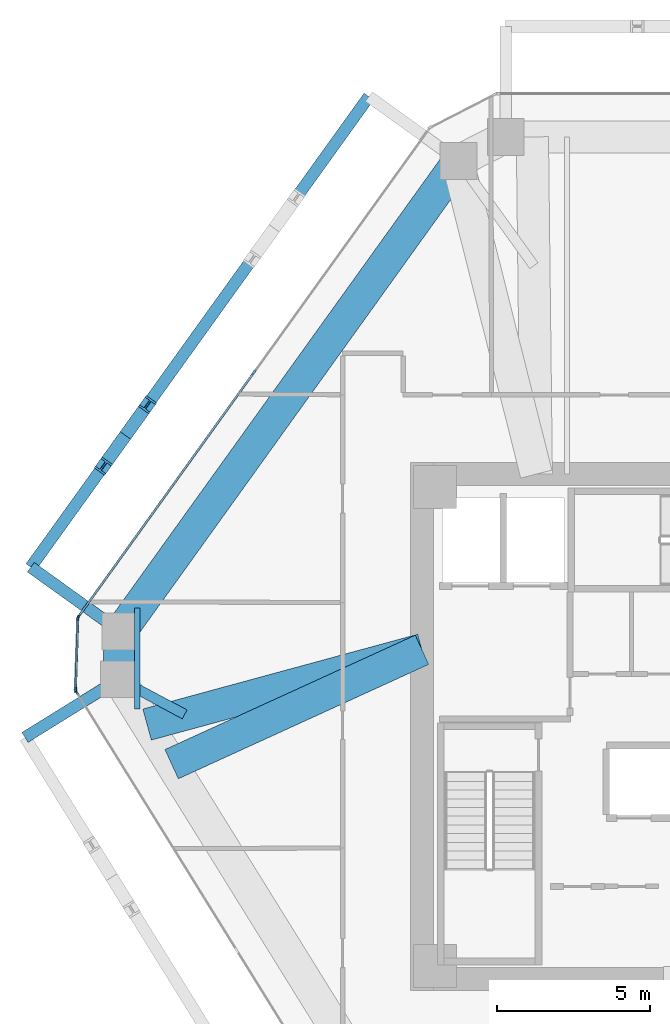
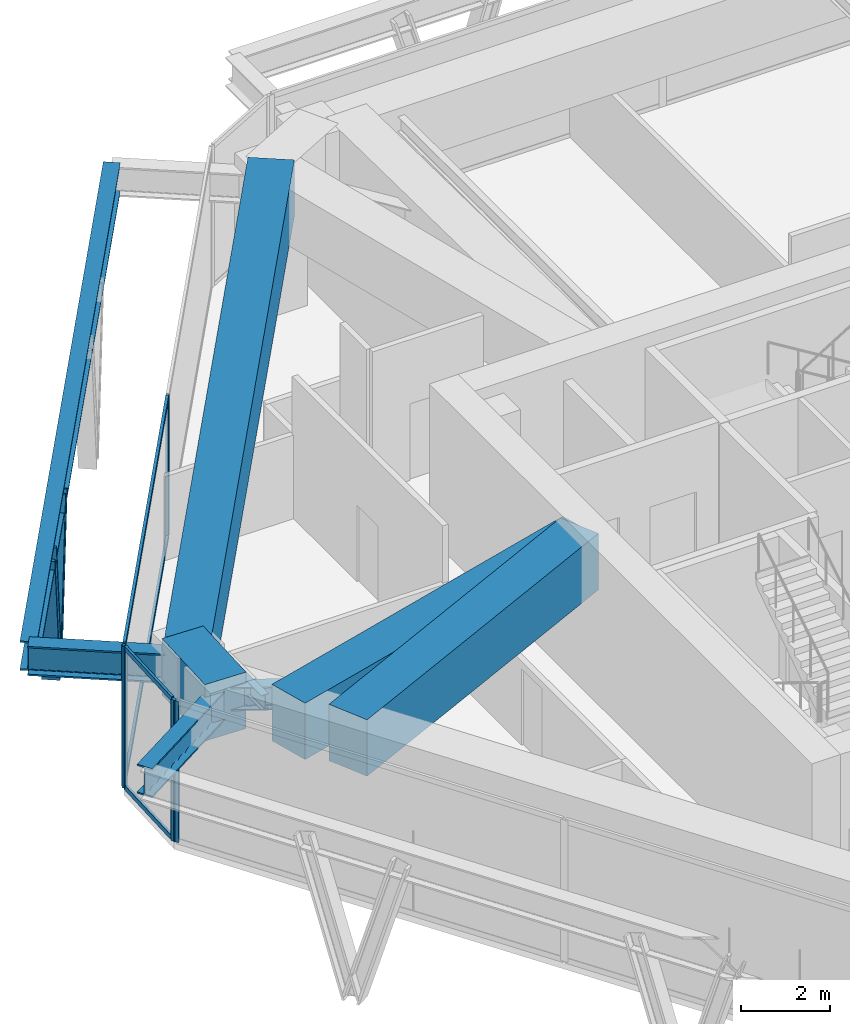
# One storey, part 4 of 14: 11 members, 9 beams, 3 elements without a shape of their own.
"""IFC4 building model written with IfcOpenShell, lengths in metres."""

from ifc_helpers import new_model, si_unit, direction, frame, origin, origin_2d, place, context, subcontext, project, spatial, rectangle, i_section, extrude, source, transform, mapped, material, layer, layer_set, material_profile, profile_set, type_object, type_shapes, element, aggregate, save


model = new_model("IFC4")

# Units and contexts
model_context = context("Model", 3, precision=1e-05, world=origin(), true_north=direction((0.0, 1.0)))
body_context = subcontext(model_context, "Body", "Model", "MODEL_VIEW")
ifc_project = project(units=[si_unit("LENGTHUNIT", "METRE"), si_unit("AREAUNIT", "SQUARE_METRE"), si_unit("VOLUMEUNIT", "CUBIC_METRE"), si_unit("PLANEANGLEUNIT", "RADIAN"), si_unit("MASSUNIT", "GRAM", prefix="KILO")], contexts=[model_context])

# Site, building, storey
site_placement = place(None, origin())
site = spatial("IfcSite", under=ifc_project, at=site_placement, CompositionType="ELEMENT")
building_placement = place(site_placement, origin())
building = spatial("IfcBuilding", under=site, at=building_placement, Name="Durnholm Broadcast Tower", CompositionType="ELEMENT")
storey_placement = place(building_placement, frame((0.0, 0.0, 146.10009765625)))
storey = spatial("IfcBuildingStorey", under=building, at=storey_placement, Name="L40", CompositionType="ELEMENT", Elevation=146.10009765625)

# Beams
ifc_material_1 = material(Name="Steel ASTM A992 Grade 50", Category="steel")
ifc_material_profile_1 = material_profile(ifc_material_1, i_section(OverallWidth=0.385009765625, OverallDepth=0.802978515625, WebThickness=0.023681640625, FlangeThickness=0.0419921875, FilletRadius=0.032958984375, at=origin_2d()), Name="W30X261")
ifc_profile_set_1 = profile_set([ifc_material_profile_1], Name="Steel ASTM A992 Grade 50")
beam_type_1 = type_object("IfcBeamType", Name="BM-EXO-TIE", PredefinedType="USERDEFINED", material=ifc_profile_set_1)
shared_shape_1 = source(origin(), body_context, "Body", "SweptSolid", [
    extrude(i_section(OverallWidth=0.385009765625, OverallDepth=0.802978515625, WebThickness=0.023681640625, FlangeThickness=0.0419921875, FilletRadius=0.032958984375, at=origin_2d()), origin(), (0.0, 0.0, 1.0), 3.4560546875),
])
for number, where, z_axis, x_axis, name in (
    (1, (-20.1669921875, 3.175048828125, 3.12841796875), (-0.812164951739, 0.583427880005, 0.0), (-0.583427880005, -0.812164951739, 0.0), "L40 exoskeleton stand-off tie bracket F5.2"),
    (2, (-20.22509765625, 1.465576171875, 3.12841796875), (-0.849795112316, -0.527113144481, 0.0), (0.527113144481, -0.849795112316, 0.0), "L40 exoskeleton stand-off tie bracket F6.1"),
):
    element("IfcBeam", number, at=place(storey_placement, frame(where, z_axis=z_axis, x_axis=x_axis)), inside=storey, type_object=beam_type_1, Name=name, ObjectType="GIRDER", PredefinedType="USERDEFINED", context=body_context, shape_type="MappedRepresentation", body=[
        mapped(shared_shape_1, transform((0.0, 0.0, 0.0), x_axis=(1.0, 0.0, 0.0), y_axis=(0.0, 1.0, 0.0), z_axis=(0.0, 0.0, 1.0), scale=1.0)),
    ])
shared_shape_2 = source(origin(), body_context, "Body", "SweptSolid", [
    extrude(i_section(OverallWidth=0.385009765625, OverallDepth=0.802978515625, WebThickness=0.023681640625, FlangeThickness=0.0419921875, FilletRadius=0.032958984375, at=origin_2d()), origin(), (0.0, 0.0, 1.0), 18.884765625),
])
type_shapes(beam_type_1, [shared_shape_1, shared_shape_2])
beam_1_placement = place(storey_placement, frame((-11.955810546875, 20.52880859375, 3.12841796875), z_axis=(-0.583437308554, -0.812158178551, 0.0), x_axis=(0.812158178551, -0.583437308554, 0.0)))
element("IfcBeam", 3, at=beam_1_placement, inside=storey, type_object=beam_type_1, Name="L40 exoskeleton collector spandrel F5", PredefinedType="SPANDREL", context=body_context, shape_type="MappedRepresentation", body=[
    mapped(shared_shape_2, transform((0.0, 0.0, 0.0), x_axis=(1.0, 0.0, 0.0), y_axis=(0.0, 1.0, 0.0), z_axis=(0.0, 0.0, 1.0), scale=1.0)),
])
ifc_material_2 = material(Name="Concrete C70/85", Category="concrete")
ifc_material_profile_2 = material_profile(ifc_material_2, rectangle(XDim=1.050048828125, YDim=1.550048828125, at=origin_2d()), Name="RC1050X1550")
ifc_profile_set_2 = profile_set([ifc_material_profile_2], Name="Concrete C70/85")
beam_type_2 = type_object("IfcBeamType", Name="BM-TG-RC1550", PredefinedType="USERDEFINED", material=ifc_profile_set_2)
shared_shape_3 = source(origin(), body_context, "Body", "SweptSolid", [
    extrude(rectangle(XDim=1.050048828125, YDim=1.550048828125, at=origin_2d()), origin(), (0.0, 0.0, 1.0), 2.05078125),
])
beam_2_placement = place(storey_placement, frame((-20.111083984375, 1.29150390625, 3.10498046875), z_axis=(0.033929232613, 0.999424237836, 0.0), x_axis=(-0.999424237836, 0.033929232613, 0.0)))
element("IfcBeam", 4, at=beam_2_placement, inside=storey, type_object=beam_type_2, Name="L40 perimeter transfer spandrel girder 02", PredefinedType="SPANDREL", context=body_context, shape_type="MappedRepresentation", body=[
    mapped(shared_shape_3, transform((0.0, 0.0, 0.0), x_axis=(1.0, 0.0, 0.0), y_axis=(0.0, 1.0, 0.0), z_axis=(0.0, 0.0, 1.0), scale=1.0)),
])
shared_shape_4 = source(origin(), body_context, "Body", "SweptSolid", [
    extrude(rectangle(XDim=1.050048828125, YDim=1.550048828125, at=origin_2d()), origin(), (0.0, 0.0, 1.0), 18.884521484375),
])
beam_3_placement = place(storey_placement, frame((-20.050048828125, 3.091064453125, 3.10498046875), z_axis=(0.583443434414, 0.812153777827, 0.0), x_axis=(-0.812153777827, 0.583443434414, 0.0)))
element("IfcBeam", 5, at=beam_3_placement, inside=storey, type_object=beam_type_2, Name="L40 perimeter transfer spandrel girder 03", PredefinedType="SPANDREL", context=body_context, shape_type="MappedRepresentation", body=[
    mapped(shared_shape_4, transform((0.0, 0.0, 0.0), x_axis=(1.0, 0.0, 0.0), y_axis=(0.0, 1.0, 0.0), z_axis=(0.0, 0.0, 1.0), scale=1.0)),
])
shared_shape_5 = source(origin(), body_context, "Body", "SweptSolid", [
    extrude(rectangle(XDim=1.050048828125, YDim=1.550048828125, at=origin_2d()), origin(), (0.0, 0.0, 1.0), 8.97119140625),
])
beam_4_placement = place(storey_placement, frame((-10.22509765625, 2.5, 3.10498046875), z_axis=(-0.909552959751, -0.415588033282, 0.0), x_axis=(0.415588033282, -0.909552959751, 0.0)))
element("IfcBeam", 6, at=beam_4_placement, inside=storey, type_object=beam_type_2, Name="L40 radial setback transfer girder 02", ObjectType="GIRDER", PredefinedType="USERDEFINED", context=body_context, shape_type="MappedRepresentation", body=[
    mapped(shared_shape_5, transform((0.0, 0.0, 0.0), x_axis=(1.0, 0.0, 0.0), y_axis=(0.0, 1.0, 0.0), z_axis=(0.0, 0.0, 1.0), scale=1.0)),
])
shared_shape_6 = source(origin(), body_context, "Body", "SweptSolid", [
    extrude(rectangle(XDim=1.050048828125, YDim=1.550048828125, at=origin_2d()), origin(), (0.0, 0.0, 1.0), 9.285888671875),
])
type_shapes(beam_type_2, [shared_shape_3, shared_shape_4, shared_shape_5, shared_shape_6])
beam_5_placement = place(storey_placement, frame((-10.22509765625, 2.5, 3.10498046875), z_axis=(-0.964926240148, -0.262521144053, 0.0), x_axis=(0.262521144053, -0.964926240148, 0.0)))
element("IfcBeam", 7, at=beam_5_placement, inside=storey, type_object=beam_type_2, Name="L40 radial setback transfer girder 03", ObjectType="GIRDER", PredefinedType="USERDEFINED", context=body_context, shape_type="MappedRepresentation", body=[
    mapped(shared_shape_6, transform((0.0, 0.0, 0.0), x_axis=(1.0, 0.0, 0.0), y_axis=(0.0, 1.0, 0.0), z_axis=(0.0, 0.0, 1.0), scale=1.0)),
])
ifc_material_profile_3 = material_profile(ifc_material_1, i_section(OverallWidth=0.3291015625, OverallDepth=0.635009765625, WebThickness=0.017822265625, FlangeThickness=0.031005859375, FilletRadius=0.02783203125, at=origin_2d()), Name="W24X162")
ifc_profile_set_3 = profile_set([ifc_material_profile_3], Name="Steel ASTM A992 Grade 50")
beam_type_3 = type_object("IfcBeamType", Name="STL-SP-W24X162", PredefinedType="SPANDREL", material=ifc_profile_set_3)
shared_shape_7 = source(origin(), body_context, "Body", "SweptSolid", [
    extrude(i_section(OverallWidth=0.3291015625, OverallDepth=0.635009765625, WebThickness=0.017822265625, FlangeThickness=0.031005859375, FilletRadius=0.02783203125, at=origin_2d()), origin(), (0.0, 0.0, 1.0), 2.429931640625),
])
type_shapes(beam_type_3, [shared_shape_7])
beam_6_placement = place(storey_placement, frame((-20.102783203125, 1.54150390625, 3.260009765625), z_axis=(0.881812820575, -0.471599564747, 0.0), x_axis=(0.471599564747, 0.881812820575, 0.0)))
element("IfcBeam", 8, at=beam_6_placement, inside=storey, type_object=beam_type_3, Name="L40 perimeter column collector tie 03", ObjectType="GIRDER", PredefinedType="USERDEFINED", context=body_context, shape_type="MappedRepresentation", body=[
    mapped(shared_shape_7, transform((0.0, 0.0, 0.0), x_axis=(1.0, 0.0, 0.0), y_axis=(0.0, 1.0, 0.0), z_axis=(0.0, 0.0, 1.0), scale=1.0)),
])
ifc_material_profile_4 = material_profile(ifc_material_1, i_section(OverallWidth=0.177734375, OverallDepth=0.40673828125, WebThickness=0.0078125, FlangeThickness=0.0126953125, FilletRadius=0.01904296875, at=origin_2d()), Name="W16X40")
ifc_profile_set_4 = profile_set([ifc_material_profile_4], Name="Steel ASTM A992 Grade 50")
beam_type_4 = type_object("IfcBeamType", Name="STL-BJ-W16X40", PredefinedType="JOIST", material=ifc_profile_set_4)
shared_shape_8 = source(origin(), body_context, "Body", "SweptSolid", [
    extrude(i_section(OverallWidth=0.177734375, OverallDepth=0.40673828125, WebThickness=0.0078125, FlangeThickness=0.0126953125, FilletRadius=0.01904296875, at=origin_2d()), origin(), (0.0, 0.0, 1.0), 3.287109375),
])
type_shapes(beam_type_4, [shared_shape_8])
beam_7_placement = place(storey_placement, frame((-19.5, 0.569580078125, 3.45654296875), z_axis=(0.0, 1.0, 0.0), x_axis=(-1.0, 0.0, 0.0)))
element("IfcBeam", 9, at=beam_7_placement, inside=storey, type_object=beam_type_4, Name="L40 secondary floor joist 1.1", PredefinedType="JOIST", context=body_context, shape_type="MappedRepresentation", body=[
    mapped(shared_shape_8, transform((0.0, 0.0, 0.0), x_axis=(1.0, 0.0, 0.0), y_axis=(0.0, 1.0, 0.0), z_axis=(0.0, 0.0, 1.0), scale=1.0)),
])

# Members
ifc_material_3 = material(Name="Steel ASTM A913 Grade 65", Category="steel")
ifc_material_profile_5 = material_profile(ifc_material_3, i_section(OverallWidth=0.41845703125, OverallDepth=0.455078125, WebThickness=0.0419921875, FlangeThickness=0.067626953125, FilletRadius=0.030517578125, at=origin_2d()), Name="W14X370")
ifc_profile_set_5 = profile_set([ifc_material_profile_5], Name="Steel ASTM A913 Grade 65")
member_type_1 = type_object("IfcMemberType", Name="STL-DG-W14X370", PredefinedType="BRACE", material=ifc_profile_set_5)
shared_shape_9 = source(origin(), body_context, "Body", "SweptSolid", [
    extrude(i_section(OverallWidth=0.41845703125, OverallDepth=0.455078125, WebThickness=0.0419921875, FlangeThickness=0.067626953125, FilletRadius=0.030517578125, at=origin_2d()), origin(), (0.0, 0.0, 1.0), 4.30078125),
])
member_1_placement = place(storey_placement, frame((-19.888916015625, 9.48583984375, -0.991455078125), z_axis=(0.167407384775, 0.233030625466, 0.957951718573), x_axis=(-0.812153063014, 0.583444429434, 0.0)))
element("IfcMember", 10, at=member_1_placement, inside=storey, type_object=member_type_1, Name="L40 stand-off diagrid brace F5.D2.1", PredefinedType="BRACE", context=body_context, shape_type="MappedRepresentation", body=[
    mapped(shared_shape_9, transform((0.0, 0.0, 0.0), x_axis=(1.0, 0.0, 0.0), y_axis=(0.0, 1.0, 0.0), z_axis=(0.0, 0.0, 1.0), scale=1.0)),
])
shared_shape_10 = source(origin(), body_context, "Body", "SweptSolid", [
    extrude(i_section(OverallWidth=0.41845703125, OverallDepth=0.455078125, WebThickness=0.0419921875, FlangeThickness=0.067626953125, FilletRadius=0.030517578125, at=origin_2d()), origin(), (0.0, 0.0, 1.0), 4.300537109375),
])
type_shapes(member_type_1, [shared_shape_9, shared_shape_10])
member_2_placement = place(storey_placement, frame((-19.888916015625, 9.48583984375, -0.991455078125), z_axis=(-0.167354421048, -0.232979153318, 0.957973492261), x_axis=(0.812179469647, -0.583407669717, 0.0)))
element("IfcMember", 11, at=member_2_placement, inside=storey, type_object=member_type_1, Name="L40 stand-off diagrid brace F5.D2.2", PredefinedType="BRACE", context=body_context, shape_type="MappedRepresentation", body=[
    mapped(shared_shape_10, transform((0.0, 0.0, 0.0), x_axis=(1.0, 0.0, 0.0), y_axis=(0.0, 1.0, 0.0), z_axis=(0.0, 0.0, 1.0), scale=1.0)),
])

# Curtain wall, members
ifc_material_4 = material(Name="Aluminium and Solar Control IGU", Category="aluminium")
ifc_layer_1 = layer(ifc_material_4, 0.1650390625)
ifc_layer_set_1 = layer_set([ifc_layer_1], Name="Aluminium and Solar Control IGU")
curtain_wall_type_1 = type_object("IfcCurtainWallType", Name="CW-SYS-5", PredefinedType="NOTDEFINED", material=ifc_layer_set_1)
curtain_wall_1_placement = place(storey_placement, origin())
curtain_wall_1 = element("IfcCurtainWall", 12, at=curtain_wall_1_placement, inside=storey, type_object=curtain_wall_type_1, Name="L40 curtain wall CW-CORNER CW-L40-CRN-01", PredefinedType="NOTDEFINED")
ifc_material_5 = material(Name="Aluminium 6063-T6", Category="aluminium")
ifc_material_profile_6 = material_profile(ifc_material_5, rectangle(XDim=0.06494140625, YDim=0.1298828125, at=origin_2d()), Name="CWT65X130")
ifc_profile_set_6 = profile_set([ifc_material_profile_6], Name="Aluminium 6063-T6")
member_type_2 = type_object("IfcMemberType", Name="CW-SYS-5-TRN", PredefinedType="USERDEFINED", material=ifc_profile_set_6)
shared_shape_11 = source(origin(), body_context, "Body", "SweptSolid", [
    extrude(rectangle(XDim=0.06494140625, YDim=0.1298828125, at=origin_2d()), origin(), (0.0, 0.0, 1.0), 2.27001953125),
])
type_shapes(member_type_2, [shared_shape_11])
member_3_placement = place(storey_placement, frame((-21.51416015625, 1.229248046875, 0.032470703125), z_axis=(0.03398444704, 0.999422361847, 0.0), x_axis=(-0.999422361847, 0.03398444704, 0.0)))
member_3 = element("IfcMember", 13, at=member_3_placement, type_object=member_type_2, Name="CW-CORNER transom 1.1", ObjectType="TRANSOM", PredefinedType="USERDEFINED", context=body_context, shape_type="MappedRepresentation", body=[
    mapped(shared_shape_11, transform((0.0, 0.0, 0.0), x_axis=(1.0, 0.0, 0.0), y_axis=(0.0, 1.0, 0.0), z_axis=(0.0, 0.0, 1.0), scale=1.0)),
])
member_4_placement = place(storey_placement, frame((-21.51416015625, 1.229248046875, 3.847412109375), z_axis=(0.03398444704, 0.999422361847, 0.0), x_axis=(-0.999422361847, 0.03398444704, 0.0)))
member_4 = element("IfcMember", 14, at=member_4_placement, type_object=member_type_2, Name="CW-CORNER transom 1.2", ObjectType="TRANSOM", PredefinedType="USERDEFINED", context=body_context, shape_type="MappedRepresentation", body=[
    mapped(shared_shape_11, transform((0.0, 0.0, 0.0), x_axis=(1.0, 0.0, 0.0), y_axis=(0.0, 1.0, 0.0), z_axis=(0.0, 0.0, 1.0), scale=1.0)),
])

ifc_layer_2 = layer(ifc_material_4, 0.18994140625)
ifc_layer_set_2 = layer_set([ifc_layer_2], Name="Aluminium and Solar Control IGU")
curtain_wall_type_2 = type_object("IfcCurtainWallType", Name="CW-SYS-3", PredefinedType="NOTDEFINED", material=ifc_layer_set_2)
curtain_wall_2_placement = place(storey_placement, origin())
curtain_wall_2 = element("IfcCurtainWall", 15, at=curtain_wall_2_placement, inside=storey, type_object=curtain_wall_type_2, Name="L40 curtain wall CW-Z12-VIS CW-L40-F02", PredefinedType="NOTDEFINED")
ifc_material_profile_7 = material_profile(ifc_material_5, rectangle(XDim=0.070068359375, YDim=0.14990234375, at=origin_2d()), Name="CWT70X150")
ifc_profile_set_7 = profile_set([ifc_material_profile_7], Name="Aluminium 6063-T6")
member_type_3 = type_object("IfcMemberType", Name="CW-SYS-3-TRN", PredefinedType="USERDEFINED", material=ifc_profile_set_7)
shared_shape_12 = source(origin(), body_context, "Body", "SweptSolid", [
    extrude(rectangle(XDim=0.070068359375, YDim=0.14990234375, at=origin_2d()), origin(), (0.0, 0.0, 1.0), 9.71875),
])
type_shapes(member_type_3, [shared_shape_12])
member_5_placement = place(storey_placement, frame((-21.39404296875, 3.619873046875, 0.034912109375), z_axis=(0.583450726174, 0.812148539448, 0.0), x_axis=(-0.812148539448, 0.583450726174, 0.0)))
member_5 = element("IfcMember", 16, at=member_5_placement, type_object=member_type_3, Name="CW-Z12-VIS transom 1.1", ObjectType="TRANSOM", PredefinedType="USERDEFINED", context=body_context, shape_type="MappedRepresentation", body=[
    mapped(shared_shape_12, transform((0.0, 0.0, 0.0), x_axis=(1.0, 0.0, 0.0), y_axis=(0.0, 1.0, 0.0), z_axis=(0.0, 0.0, 1.0), scale=1.0)),
])
member_6_placement = place(storey_placement, frame((-21.39404296875, 3.619873046875, 3.844970703125), z_axis=(0.583450726174, 0.812148539448, 0.0), x_axis=(-0.812148539448, 0.583450726174, 0.0)))
member_6 = element("IfcMember", 17, at=member_6_placement, type_object=member_type_3, Name="CW-Z12-VIS transom 1.2", ObjectType="TRANSOM", PredefinedType="USERDEFINED", context=body_context, shape_type="MappedRepresentation", body=[
    mapped(shared_shape_12, transform((0.0, 0.0, 0.0), x_axis=(1.0, 0.0, 0.0), y_axis=(0.0, 1.0, 0.0), z_axis=(0.0, 0.0, 1.0), scale=1.0)),
])

# Member
ifc_material_profile_8 = material_profile(ifc_material_5, rectangle(XDim=0.06494140625, YDim=0.1650390625, at=origin_2d()), Name="CWM65X165")
ifc_profile_set_8 = profile_set([ifc_material_profile_8], Name="Aluminium 6063-T6")
member_type_4 = type_object("IfcMemberType", Name="CW-SYS-5-MUL", PredefinedType="MULLION", material=ifc_profile_set_8)
shared_shape_13 = source(origin(), body_context, "Body", "SweptSolid", [
    extrude(rectangle(XDim=0.06494140625, YDim=0.1650390625, at=origin_2d()), origin(), (0.0, 0.0, 1.0), 3.8798828125),
])
type_shapes(member_type_4, [shared_shape_13])
member_7_placement = place(storey_placement, frame((-21.51513671875, 1.19677734375, 0.0), z_axis=(0.0, 0.0, 1.0), x_axis=(-0.999424655155, 0.033916937775, 0.0)))
member_7 = element("IfcMember", 18, at=member_7_placement, type_object=member_type_4, Name="CW-CORNER mullion 1", PredefinedType="MULLION", context=body_context, shape_type="MappedRepresentation", body=[
    mapped(shared_shape_13, transform((0.0, 0.0, 0.0), x_axis=(1.0, 0.0, 0.0), y_axis=(0.0, 1.0, 0.0), z_axis=(0.0, 0.0, 1.0), scale=1.0)),
])

member_8_placement = place(storey_placement, frame((-21.43603515625, 3.530517578125, 0.0), z_axis=(0.0, 0.0, 1.0), x_axis=(-0.999424655155, 0.033916937775, 0.0)))
member_8 = element("IfcMember", 19, at=member_8_placement, type_object=member_type_4, Name="CW-CORNER mullion 2", PredefinedType="MULLION", context=body_context, shape_type="MappedRepresentation", body=[
    mapped(shared_shape_13, transform((0.0, 0.0, 0.0), x_axis=(1.0, 0.0, 0.0), y_axis=(0.0, 1.0, 0.0), z_axis=(0.0, 0.0, 1.0), scale=1.0)),
])

aggregate(curtain_wall_1, [member_7, member_8, member_3, member_4])

ifc_material_profile_9 = material_profile(ifc_material_5, rectangle(XDim=0.070068359375, YDim=0.18994140625, at=origin_2d()), Name="CWM70X190")
ifc_profile_set_9 = profile_set([ifc_material_profile_9], Name="Aluminium 6063-T6")
member_type_5 = type_object("IfcMemberType", Name="CW-SYS-3-MUL", PredefinedType="MULLION", material=ifc_profile_set_9)
shared_shape_14 = source(origin(), body_context, "Body", "SweptSolid", [
    extrude(rectangle(XDim=0.070068359375, YDim=0.18994140625, at=origin_2d()), origin(), (0.0, 0.0, 1.0), 3.8798828125),
])
type_shapes(member_type_5, [shared_shape_14])
member_9_placement = place(storey_placement, frame((-21.41455078125, 3.59130859375, 0.0), z_axis=(0.0, 0.0, 1.0), x_axis=(-0.812152312759, 0.583445473786, 0.0)))
member_9 = element("IfcMember", 20, at=member_9_placement, type_object=member_type_5, Name="CW-Z12-VIS mullion 1", PredefinedType="MULLION", context=body_context, shape_type="MappedRepresentation", body=[
    mapped(shared_shape_14, transform((0.0, 0.0, 0.0), x_axis=(1.0, 0.0, 0.0), y_axis=(0.0, 1.0, 0.0), z_axis=(0.0, 0.0, 1.0), scale=1.0)),
])

member_10_placement = place(storey_placement, frame((-15.703369140625, 11.541259765625, 0.0), z_axis=(0.0, 0.0, 1.0), x_axis=(-0.812152312759, 0.583445473786, 0.0)))
member_10 = element("IfcMember", 21, at=member_10_placement, type_object=member_type_5, Name="CW-Z12-VIS mullion 2", PredefinedType="MULLION", context=body_context, shape_type="MappedRepresentation", body=[
    mapped(shared_shape_14, transform((0.0, 0.0, 0.0), x_axis=(1.0, 0.0, 0.0), y_axis=(0.0, 1.0, 0.0), z_axis=(0.0, 0.0, 1.0), scale=1.0)),
])

aggregate(curtain_wall_2, [member_9, member_10, member_5, member_6])

# Curtain wall, member
curtain_wall_3_placement = place(storey_placement, origin())
curtain_wall_3 = element("IfcCurtainWall", 22, at=curtain_wall_3_placement, inside=storey, type_object=curtain_wall_type_2, Name="L40 curtain wall CW-Z12-VIS CW-L40-F12", PredefinedType="NOTDEFINED")
member_11_placement = place(storey_placement, frame((-21.497802734375, 1.134765625, 0.0), z_axis=(0.0, 0.0, 1.0), x_axis=(-0.849799925229, -0.527105385176, 0.0)))
member_11 = element("IfcMember", 23, at=member_11_placement, type_object=member_type_5, Name="CW-Z12-VIS mullion 3", PredefinedType="MULLION", context=body_context, shape_type="MappedRepresentation", body=[
    mapped(shared_shape_14, transform((0.0, 0.0, 0.0), x_axis=(1.0, 0.0, 0.0), y_axis=(0.0, 1.0, 0.0), z_axis=(0.0, 0.0, 1.0), scale=1.0)),
])
aggregate(curtain_wall_3, [member_11])

save(model, "model.ifc")
